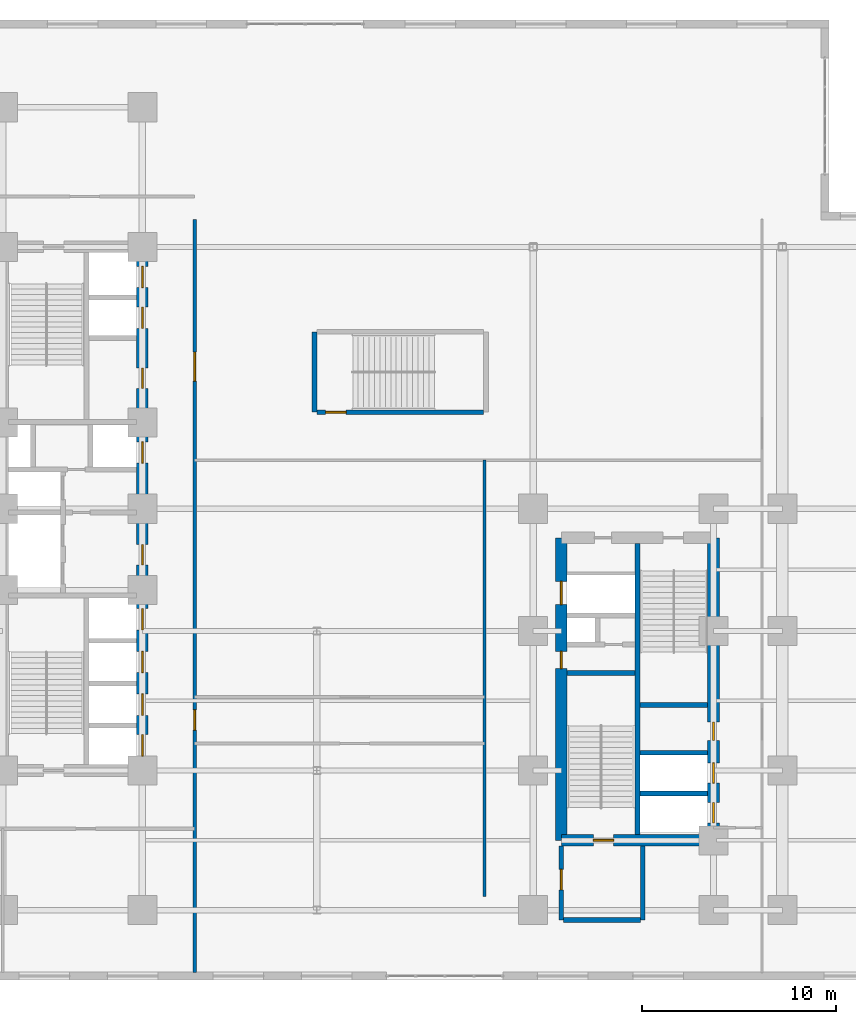
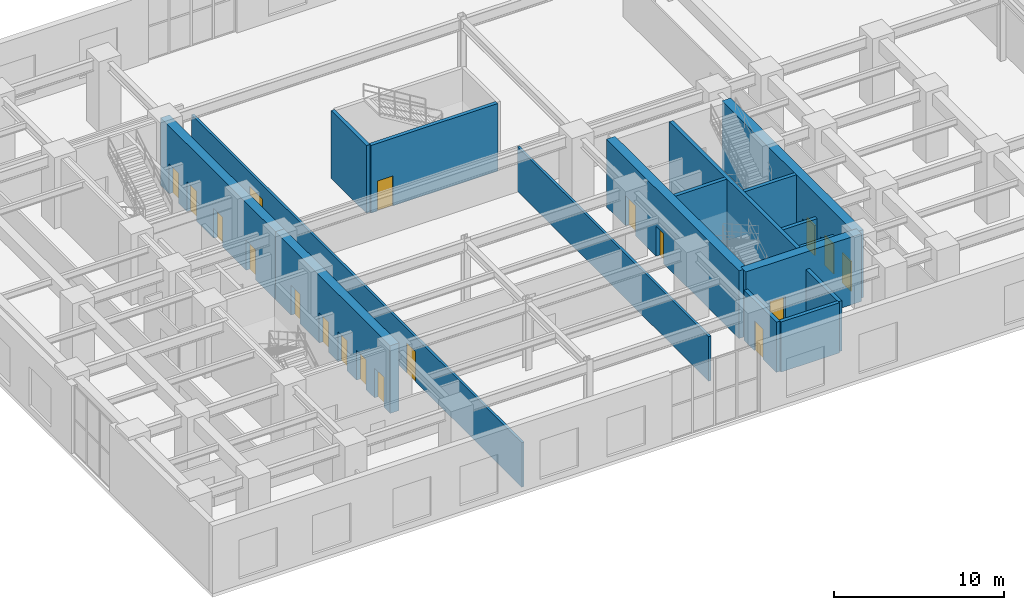
# One storey, part 18 of 23: 19 doors, 17 walls, 19 openings.
"""IFC4 building model written with IfcOpenShell, lengths in metres."""

import ifcopenshell
import ifcopenshell.guid

model = None  # the IFC model being written
_history = None  # IfcOwnerHistory: only IFC2X3 demands one
_inside = {}  # id of a spatial element -> (the spatial element, [elements in it])
_under = {}  # id of a project, library or spatial element -> (it, [spatial elements below it])
_declared = {}  # id of a project -> (the project, [libraries it declares])
_typed = {}  # id of a type object -> (the type object, [elements of that type])
_made_of = {}  # id of a material, layer set ... -> (it, [elements and type objects made of it])


def new_model(schema):
    """Start an empty IFC model of exactly this schema.

    Asked for "IFC4X3", IfcOpenShell would pick the latest addendum, in which some entities
    have other attributes; the version numbers below select the first issue.
    IFC2X3 requires an IfcOwnerHistory on every rooted entity: one is made here for all.
    """
    global model, _history
    if schema == "IFC4X3":
        model = ifcopenshell.file(schema_version=(4, 3, 0, 0))
    else:
        model = ifcopenshell.file(schema=schema)
    _inside.clear()
    _under.clear()
    _declared.clear()
    _typed.clear()
    _made_of.clear()
    _history = None
    if model.schema == "IFC2X3":
        org = make("IfcOrganization", Name="unknown")
        user = make(
            "IfcPersonAndOrganization",
            ThePerson=make("IfcPerson", FamilyName="unknown"),
            TheOrganization=org,
        )
        app = make(
            "IfcApplication",
            ApplicationDeveloper=org,
            Version="unknown",
            ApplicationFullName="unknown",
            ApplicationIdentifier="unknown",
        )
        _history = make(
            "IfcOwnerHistory",
            OwningUser=user,
            OwningApplication=app,
            ChangeAction="ADDED",
            CreationDate=0,
        )
    return model


def make(cls, **values):
    """One entity of the class cls with the attributes given. An attribute that is None is left unset."""
    return model.create_entity(
        cls, **{name: value for name, value in values.items() if value is not None}
    )


def entity(cls, *values):
    """Any entity or typed value of the class cls, its attributes in the order of the schema. None: left unset."""
    e = model.create_entity(cls)
    for i, value in enumerate(values):
        if value is not None:
            e[i] = value
    return e


def rooted(cls, **values):
    """An entity with a GlobalId (a new one), such as an element, a storey or a relation."""
    return make(cls, GlobalId=ifcopenshell.guid.new(), OwnerHistory=_history, **values)


def si_unit(unit_type, name, prefix=None):
    """IfcSIUnit, for example si_unit("LENGTHUNIT", "METRE", prefix="MILLI")."""
    return make("IfcSIUnit", UnitType=unit_type, Prefix=prefix, Name=name)


def converted_unit(unit_type, name, factor, base, dimensions=None, offset=None):
    """IfcConversionBasedUnit, such as the inch: factor (a typed value) times the base unit."""
    return make(
        "IfcConversionBasedUnit"
        if offset is None
        else "IfcConversionBasedUnitWithOffset",
        ConversionOffset=offset,
        Dimensions=None
        if dimensions is None
        else entity("IfcDimensionalExponents", *dimensions),
        UnitType=unit_type,
        Name=name,
        ConversionFactor=make(
            "IfcMeasureWithUnit", ValueComponent=factor, UnitComponent=base
        ),
    )


def assignment(units):
    """IfcUnitAssignment: the units of a project."""
    return None if units is None else make("IfcUnitAssignment", Units=units)


def point(xyz):
    """IfcCartesianPoint."""
    return None if xyz is None else make("IfcCartesianPoint", Coordinates=xyz)


def direction(xyz):
    """IfcDirection."""
    return None if xyz is None else make("IfcDirection", DirectionRatios=xyz)


def frame(location, z_axis=None, x_axis=None):
    """IfcAxis2Placement3D, a coordinate frame: its origin and axes. An axis left out is left unset."""
    return make(
        "IfcAxis2Placement3D",
        Location=point(location),
        Axis=direction(z_axis),
        RefDirection=direction(x_axis),
    )


def frame_2d(location, x_axis=None):
    """IfcAxis2Placement2D, a coordinate frame in the plane: its origin and x axis."""
    return make(
        "IfcAxis2Placement2D", Location=point(location), RefDirection=direction(x_axis)
    )


def origin_with_axes():
    """The frame at (0, 0, 0) with the z axis (0, 0, 1) and the x axis (1, 0, 0) written out."""
    return frame((0.0, 0.0, 0.0), z_axis=(0.0, 0.0, 1.0), x_axis=(1.0, 0.0, 0.0))


def origin_2d_with_axis():
    """The frame at (0, 0) in the plane with the x axis (1, 0) written out."""
    return frame_2d((0.0, 0.0), x_axis=(1.0, 0.0))


def place(relative_to, where):
    """IfcLocalPlacement: puts the frame where relative to a parent placement (None: the world)."""
    return make(
        "IfcLocalPlacement", PlacementRelTo=relative_to, RelativePlacement=where
    )


def context(
    kind, dimensions, precision=None, world=None, true_north=None, identifier=None
):
    """IfcGeometricRepresentationContext, for example the 3D "Model" context."""
    return make(
        "IfcGeometricRepresentationContext",
        ContextIdentifier=identifier,
        ContextType=kind,
        CoordinateSpaceDimension=dimensions,
        Precision=precision,
        WorldCoordinateSystem=world,
        TrueNorth=true_north,
    )


def subcontext(parent, identifier, kind, view, scale=None):
    """IfcGeometricRepresentationSubContext, for example "Body" below "Model"."""
    return make(
        "IfcGeometricRepresentationSubContext",
        ContextIdentifier=identifier,
        ContextType=kind,
        ParentContext=parent,
        TargetScale=scale,
        TargetView=view,
    )


def project(units=None, contexts=None):
    """IfcProject with its units and contexts."""
    return rooted(
        "IfcProject",
        Name="project",
        RepresentationContexts=contexts,
        UnitsInContext=assignment(units),
    )


def spatial(cls, under=None, at=None, **own):
    """A site, building, storey or space (cls), placed at a placement, below another one or the project."""
    s = rooted(cls, ObjectPlacement=at, **own)
    if under is not None:
        _under.setdefault(under.id(), (under, []))[1].append(s)
    return s


def polyline(points):
    """IfcPolyline through the points."""
    return make("IfcPolyline", Points=[point(p) for p in points])


def profile(cls, at=None, kind="AREA", **sizes):
    """A parametric profile (cls). Its sizes go by their IFC names, for example OverallWidth=200.0."""
    return make(cls, ProfileType=kind, Position=at, **sizes)


def rectangle(**sizes):
    """IfcRectangleProfileDef."""
    return profile("IfcRectangleProfileDef", **sizes)


def outline(outer, holes=None, kind="AREA"):
    """IfcArbitraryClosedProfileDef: a profile drawn as a closed curve; with holes, ...WithVoids."""
    if holes is None:
        return make("IfcArbitraryClosedProfileDef", ProfileType=kind, OuterCurve=outer)
    return make(
        "IfcArbitraryProfileDefWithVoids",
        ProfileType=kind,
        OuterCurve=outer,
        InnerCurves=holes,
    )


def extrude(swept, where, along, depth):
    """IfcExtrudedAreaSolid: the profile swept, set in the frame where, extruded along a direction by depth."""
    return make(
        "IfcExtrudedAreaSolid",
        SweptArea=swept,
        Position=where,
        ExtrudedDirection=direction(along),
        Depth=depth,
    )


def shape(context_of_items, identifier, shape_type, items):
    """IfcShapeRepresentation: the items that make up one representation, for example the "Body"."""
    return make(
        "IfcShapeRepresentation",
        ContextOfItems=context_of_items,
        RepresentationIdentifier=identifier,
        RepresentationType=shape_type,
        Items=items,
    )


def material(Name=None, Category=None):
    """IfcMaterial."""
    return make("IfcMaterial", Name=Name, Category=Category)


def layer(
    of_material, thickness, ventilated=None, Name=None, Category=None, Priority=None
):
    """IfcMaterialLayer: one layer of a wall or slab, of a material (None: an air gap)."""
    return make(
        "IfcMaterialLayer",
        Material=of_material,
        LayerThickness=thickness,
        IsVentilated=ventilated,
        Name=Name,
        Category=Category,
        Priority=Priority,
    )


def layer_set(layers, Name=None):
    """IfcMaterialLayerSet."""
    return make("IfcMaterialLayerSet", MaterialLayers=layers, LayerSetName=Name)


def made_of(thing, what):
    """Note that an element or type object is made of a material, layer set ...; save() writes the relation."""
    if what is not None:
        _made_of.setdefault(what.id(), (what, []))[1].append(thing)
    return thing


def type_object(cls, material=None, **own):
    """A type object (cls), such as IfcWallType, which elements share."""
    return made_of(rooted(cls, **own), material)


def element(
    cls,
    number,
    at=None,
    inside=None,
    cuts=None,
    type_object=None,
    material=None,
    context=None,
    identifier="Body",
    shape_type=None,
    held_by="IfcProductDefinitionShape",
    body=None,
    shapes=None,
    **own,
):
    """One element of the class cls, such as IfcWall. Its Tag is "e" and its number.

    at: its placement. inside: the storey or other place that contains it. cuts: it is an
    opening in that element (IfcRelVoidsElement). A single representation is given by context,
    identifier, shape_type and body (its items); several are given by shapes. held_by: the class
    of the entity that holds the representations. save() writes the other relations.
    """
    e = rooted(cls, Tag="e%d" % number, ObjectPlacement=at, **own)
    if body is not None:
        shapes = [shape(context, identifier, shape_type, body)]
    if shapes is not None:
        e.Representation = make(held_by, Representations=shapes)
    if inside is not None:
        _inside.setdefault(inside.id(), (inside, []))[1].append(e)
    if cuts is not None:
        rooted(
            "IfcRelVoidsElement", RelatingBuildingElement=cuts, RelatedOpeningElement=e
        )
    if type_object is not None:
        _typed.setdefault(type_object.id(), (type_object, []))[1].append(e)
    return made_of(e, material)


def fill(opening, filler):
    """IfcRelFillsElement: the door or window that sits in an opening."""
    return rooted(
        "IfcRelFillsElement",
        RelatingOpeningElement=opening,
        RelatedBuildingElement=filler,
    )


def aggregate(whole, parts):
    """IfcRelAggregates: a whole, such as a stair, and the parts it consists of."""
    return rooted("IfcRelAggregates", RelatingObject=whole, RelatedObjects=parts)


def save(model, path):
    """Write the relations noted so far, then the file.

    IfcRelAggregates (storeys below a building ...), IfcRelContainedInSpatialStructure (elements
    in a storey), IfcRelDefinesByType, IfcRelAssociatesMaterial and IfcRelDeclares: one each for
    every whole, place, type object, material and project.
    """
    for whole, parts in _under.values():
        aggregate(whole, parts)
    for where, things in _inside.values():
        rooted(
            "IfcRelContainedInSpatialStructure",
            RelatedElements=things,
            RelatingStructure=where,
        )
    for kind, things in _typed.values():
        rooted("IfcRelDefinesByType", RelatedObjects=things, RelatingType=kind)
    for what, things in _made_of.values():
        rooted("IfcRelAssociatesMaterial", RelatedObjects=things, RelatingMaterial=what)
    for by, libraries in _declared.values():
        rooted("IfcRelDeclares", RelatingContext=by, RelatedDefinitions=libraries)
    model.write(path)


model = new_model("IFC4")

# Units and contexts
model_context = context("Model", 3, precision=1e-05, world=origin_with_axes(), true_north=direction((0.0, 1.0)))
body_context = subcontext(model_context, "Body", "Model", "MODEL_VIEW")
ifc_project = project(units=[si_unit("LENGTHUNIT", "METRE"), si_unit("AREAUNIT", "SQUARE_METRE"), si_unit("VOLUMEUNIT", "CUBIC_METRE"), converted_unit("PLANEANGLEUNIT", "DEGREE", entity("IfcPlaneAngleMeasure", 0.017453292519943295), si_unit("PLANEANGLEUNIT", "RADIAN"), dimensions=[0, 0, 0, 0, 0, 0, 0]), si_unit("MASSUNIT", "GRAM", prefix="KILO"), si_unit("THERMODYNAMICTEMPERATUREUNIT", "KELVIN")], contexts=[model_context])

# Site, building, storey
site_placement = place(None, origin_with_axes())
site = spatial("IfcSite", under=ifc_project, at=site_placement, CompositionType="ELEMENT")
building_placement = place(site_placement, origin_with_axes())
building = spatial("IfcBuilding", under=site, at=building_placement, Name="Varnlund Millrace Tower", CompositionType="ELEMENT")
storey_placement = place(building_placement, frame((0.0, 0.0, 5.7), z_axis=(0.0, 0.0, 1.0), x_axis=(1.0, 0.0, 0.0)))
storey = spatial("IfcBuildingStorey", under=building, at=storey_placement, Name="L01", CompositionType="ELEMENT", Elevation=5.7)

# Wall, openings, doors
ifc_material_1 = material(Name="Concrete C80/95", Category="concrete")
ifc_layer_1 = layer(ifc_material_1, 0.6, Name="Concrete C80/95")
ifc_layer_set_1 = layer_set([ifc_layer_1], Name="Concrete C80/95")
wall_type_1 = type_object("IfcWallType", Name="Type-CoreWall-Shear-600-C80", PredefinedType="SHEAR", material=ifc_layer_set_1)
wall_1_placement = place(storey_placement, frame((18.6, 10.8, 0.0), z_axis=(0.0, 0.0, 1.0), x_axis=(0.0, 1.0, 0.0)))
wall_1 = element("IfcWall", 1, at=wall_1_placement, inside=storey, type_object=wall_type_1, Name="Type-CoreWall-Shear-600-C80", PredefinedType="SHEAR", context=body_context, shape_type="SweptSolid", body=[
    extrude(outline(polyline([(0.0, -0.3), (13.5, -0.3), (13.5, 0.3), (0.0, 0.3), (0.0, -0.3)])), origin_with_axes(), (0.0, 0.0, 1.0), 4.86),
])
opening_1_placement = place(wall_1_placement, frame((1.3, 0.0, 0.0), z_axis=(0.0, 0.0, 1.0), x_axis=(1.0, 0.0, 0.0)))
opening_1 = element("IfcOpeningElement", 2, at=opening_1_placement, cuts=wall_1, Name="Opening L01:LD-ELV-L1", PredefinedType="OPENING", context=body_context, shape_type="SweptSolid", body=[
    extrude(rectangle(XDim=1.1, YDim=0.62, at=origin_2d_with_axis()), origin_with_axes(), (0.0, 0.0, 1.0), 2.15),
])
opening_2_placement = place(wall_1_placement, frame((3.4, 0.0, 0.0), z_axis=(0.0, 0.0, 1.0), x_axis=(1.0, 0.0, 0.0)))
opening_2 = element("IfcOpeningElement", 3, at=opening_2_placement, cuts=wall_1, Name="Opening L01:LD-ELV-L2", PredefinedType="OPENING", context=body_context, shape_type="SweptSolid", body=[
    extrude(rectangle(XDim=1.1, YDim=0.62, at=origin_2d_with_axis()), origin_with_axes(), (0.0, 0.0, 1.0), 2.15),
])
opening_3_placement = place(wall_1_placement, frame((5.6, 0.0, 0.0), z_axis=(0.0, 0.0, 1.0), x_axis=(1.0, 0.0, 0.0)))
opening_3 = element("IfcOpeningElement", 4, at=opening_3_placement, cuts=wall_1, Name="Opening L01:LD-ELV-S1A", PredefinedType="OPENING", context=body_context, shape_type="SweptSolid", body=[
    extrude(rectangle(XDim=1.1, YDim=0.62, at=origin_2d_with_axis()), origin_with_axes(), (0.0, 0.0, 1.0), 2.15),
])
opening_4_placement = place(wall_1_placement, frame((7.8, 0.0, 0.0), z_axis=(0.0, 0.0, 1.0), x_axis=(1.0, 0.0, 0.0)))
opening_4 = element("IfcOpeningElement", 5, at=opening_4_placement, cuts=wall_1, Name="Opening L01:LD-ELV-S1B", PredefinedType="OPENING", context=body_context, shape_type="SweptSolid", body=[
    extrude(rectangle(XDim=1.1, YDim=0.62, at=origin_2d_with_axis()), origin_with_axes(), (0.0, 0.0, 1.0), 2.15),
])
opening_5_placement = place(wall_1_placement, frame((11.125, 0.0, 0.0), z_axis=(0.0, 0.0, 1.0), x_axis=(1.0, 0.0, 0.0)))
opening_5 = element("IfcOpeningElement", 6, at=opening_5_placement, cuts=wall_1, Name="Opening L01:DR-FFLOB-A", PredefinedType="OPENING", context=body_context, shape_type="SweptSolid", body=[
    extrude(rectangle(XDim=1.05, YDim=0.62, at=origin_2d_with_axis()), origin_with_axes(), (0.0, 0.0, 1.0), 2.15),
])
ifc_material_2 = material(Name="Smoke-barrier hollow steel fire door", Category="steel")
door_type_1 = type_object("IfcDoorType", Name="Type-FireDoor-Lobby-1050X2150", OperationType="NOTDEFINED", PredefinedType="DOOR", material=ifc_material_2)
door_1_placement = place(wall_1_placement, frame((11.125, 0.0, 0.0), z_axis=(0.0, 0.0, 1.0), x_axis=(1.0, 0.0, 0.0)))
door_1 = element("IfcDoor", 7, at=door_1_placement, inside=storey, type_object=door_type_1, Name="Type-FireDoor-Lobby-1050X2150", OperationType="SINGLE_SWING_LEFT", OverallHeight=2.15, OverallWidth=1.05, PredefinedType="DOOR", context=body_context, shape_type="SweptSolid", body=[
    extrude(rectangle(XDim=1.05, YDim=0.09, at=origin_2d_with_axis()), origin_with_axes(), (0.0, 0.0, 1.0), 2.15),
])
fill(opening_5, door_1)
ifc_material_3 = material(Name="Stainless and architectural bronze sliding landing door")
door_type_2 = type_object("IfcDoorType", Name="Type-LiftLandingDoor-1100X2150", OperationType="NOTDEFINED", PredefinedType="DOOR", material=ifc_material_3)
door_2_placement = place(wall_1_placement, frame((1.3, 0.0, 0.0), z_axis=(0.0, 0.0, 1.0), x_axis=(1.0, 0.0, 0.0)))
door_2 = element("IfcDoor", 8, at=door_2_placement, inside=storey, type_object=door_type_2, Name="Type-LiftLandingDoor-1100X2150", OperationType="SLIDING_TO_LEFT", OverallHeight=2.15, OverallWidth=1.1, PredefinedType="DOOR", context=body_context, shape_type="SweptSolid", body=[
    extrude(rectangle(XDim=1.1, YDim=0.09, at=origin_2d_with_axis()), origin_with_axes(), (0.0, 0.0, 1.0), 2.15),
])
fill(opening_1, door_2)
door_3_placement = place(wall_1_placement, frame((3.4, 0.0, 0.0), z_axis=(0.0, 0.0, 1.0), x_axis=(1.0, 0.0, 0.0)))
door_3 = element("IfcDoor", 9, at=door_3_placement, inside=storey, type_object=door_type_2, Name="Type-LiftLandingDoor-1100X2150", OperationType="SLIDING_TO_RIGHT", OverallHeight=2.15, OverallWidth=1.1, PredefinedType="DOOR", context=body_context, shape_type="SweptSolid", body=[
    extrude(rectangle(XDim=1.1, YDim=0.09, at=origin_2d_with_axis()), origin_with_axes(), (0.0, 0.0, 1.0), 2.15),
])
fill(opening_2, door_3)
door_4_placement = place(wall_1_placement, frame((5.6, 0.0, 0.0), z_axis=(0.0, 0.0, 1.0), x_axis=(1.0, 0.0, 0.0)))
door_4 = element("IfcDoor", 10, at=door_4_placement, inside=storey, type_object=door_type_2, Name="Type-LiftLandingDoor-1100X2150", OperationType="DOUBLE_DOOR_SLIDING", OverallHeight=2.15, OverallWidth=1.1, PredefinedType="DOOR", context=body_context, shape_type="SweptSolid", body=[
    extrude(rectangle(XDim=1.1, YDim=0.09, at=origin_2d_with_axis()), origin_with_axes(), (0.0, 0.0, 1.0), 2.15),
])
fill(opening_3, door_4)
door_5_placement = place(wall_1_placement, frame((7.8, 0.0, 0.0), z_axis=(0.0, 0.0, 1.0), x_axis=(1.0, 0.0, 0.0)))
door_5 = element("IfcDoor", 11, at=door_5_placement, inside=storey, type_object=door_type_2, Name="Type-LiftLandingDoor-1100X2150", OperationType="DOUBLE_DOOR_SLIDING", OverallHeight=2.15, OverallWidth=1.1, PredefinedType="DOOR", context=body_context, shape_type="SweptSolid", body=[
    extrude(rectangle(XDim=1.1, YDim=0.09, at=origin_2d_with_axis()), origin_with_axes(), (0.0, 0.0, 1.0), 2.15),
])
fill(opening_4, door_5)

wall_2_placement = place(storey_placement, frame((18.6, 24.3, 0.0), z_axis=(0.0, 0.0, 1.0), x_axis=(0.0, 1.0, 0.0)))
wall_2 = element("IfcWall", 12, at=wall_2_placement, inside=storey, type_object=wall_type_1, Name="Type-CoreWall-Shear-600-C80", PredefinedType="SHEAR", context=body_context, shape_type="SweptSolid", body=[
    extrude(outline(polyline([(0.0, -0.3), (13.5, -0.3), (13.5, 0.3), (0.0, 0.3), (0.0, -0.3)])), origin_with_axes(), (0.0, 0.0, 1.0), 4.86),
])
opening_6_placement = place(wall_2_placement, frame((9.85, 0.0, 0.0), z_axis=(0.0, 0.0, 1.0), x_axis=(1.0, 0.0, 0.0)))
opening_6 = element("IfcOpeningElement", 13, at=opening_6_placement, cuts=wall_2, Name="Opening L01:LD-ELV-S2A", PredefinedType="OPENING", context=body_context, shape_type="SweptSolid", body=[
    extrude(rectangle(XDim=1.1, YDim=0.62, at=origin_2d_with_axis()), origin_with_axes(), (0.0, 0.0, 1.0), 2.15),
])
opening_7_placement = place(wall_2_placement, frame((11.95, 0.0, 0.0), z_axis=(0.0, 0.0, 1.0), x_axis=(1.0, 0.0, 0.0)))
opening_7 = element("IfcOpeningElement", 14, at=opening_7_placement, cuts=wall_2, Name="Opening L01:LD-ELV-S2B", PredefinedType="OPENING", context=body_context, shape_type="SweptSolid", body=[
    extrude(rectangle(XDim=1.1, YDim=0.62, at=origin_2d_with_axis()), origin_with_axes(), (0.0, 0.0, 1.0), 2.15),
])
opening_8_placement = place(wall_2_placement, frame((2.9, 0.0, 0.0), z_axis=(0.0, 0.0, 1.0), x_axis=(1.0, 0.0, 0.0)))
opening_8 = element("IfcOpeningElement", 15, at=opening_8_placement, cuts=wall_2, Name="Opening L01:LD-ELV-OB1", PredefinedType="OPENING", context=body_context, shape_type="SweptSolid", body=[
    extrude(rectangle(XDim=1.1, YDim=0.62, at=origin_2d_with_axis()), origin_with_axes(), (0.0, 0.0, 1.0), 2.15),
])
opening_9_placement = place(wall_2_placement, frame((6.725, 0.0, 0.0), z_axis=(0.0, 0.0, 1.0), x_axis=(1.0, 0.0, 0.0)))
opening_9 = element("IfcOpeningElement", 16, at=opening_9_placement, cuts=wall_2, Name="Opening L01:DR-CA-WC1", PredefinedType="OPENING", context=body_context, shape_type="SweptSolid", body=[
    extrude(rectangle(XDim=1.05, YDim=0.62, at=origin_2d_with_axis()), origin_with_axes(), (0.0, 0.0, 1.0), 2.15),
])
door_6_placement = place(wall_2_placement, frame((6.725, 0.0, 0.0), z_axis=(0.0, 0.0, 1.0), x_axis=(1.0, 0.0, 0.0)))
door_6 = element("IfcDoor", 17, at=door_6_placement, inside=storey, type_object=door_type_1, Name="Type-FireDoor-Lobby-1050X2150", OperationType="SINGLE_SWING_LEFT", OverallHeight=2.15, OverallWidth=1.05, PredefinedType="DOOR", context=body_context, shape_type="SweptSolid", body=[
    extrude(rectangle(XDim=1.05, YDim=0.09, at=origin_2d_with_axis()), origin_with_axes(), (0.0, 0.0, 1.0), 2.15),
])
fill(opening_9, door_6)
door_7_placement = place(wall_2_placement, frame((9.85, 0.0, 0.0), z_axis=(0.0, 0.0, 1.0), x_axis=(1.0, 0.0, 0.0)))
door_7 = element("IfcDoor", 18, at=door_7_placement, inside=storey, type_object=door_type_2, Name="Type-LiftLandingDoor-1100X2150", OperationType="DOUBLE_DOOR_SLIDING", OverallHeight=2.15, OverallWidth=1.1, PredefinedType="DOOR", context=body_context, shape_type="SweptSolid", body=[
    extrude(rectangle(XDim=1.1, YDim=0.09, at=origin_2d_with_axis()), origin_with_axes(), (0.0, 0.0, 1.0), 2.15),
])
fill(opening_6, door_7)
door_8_placement = place(wall_2_placement, frame((11.95, 0.0, 0.0), z_axis=(0.0, 0.0, 1.0), x_axis=(1.0, 0.0, 0.0)))
door_8 = element("IfcDoor", 19, at=door_8_placement, inside=storey, type_object=door_type_2, Name="Type-LiftLandingDoor-1100X2150", OperationType="DOUBLE_DOOR_SLIDING", OverallHeight=2.15, OverallWidth=1.1, PredefinedType="DOOR", context=body_context, shape_type="SweptSolid", body=[
    extrude(rectangle(XDim=1.1, YDim=0.09, at=origin_2d_with_axis()), origin_with_axes(), (0.0, 0.0, 1.0), 2.15),
])
fill(opening_7, door_8)
door_9_placement = place(wall_2_placement, frame((2.9, 0.0, 0.0), z_axis=(0.0, 0.0, 1.0), x_axis=(1.0, 0.0, 0.0)))
door_9 = element("IfcDoor", 20, at=door_9_placement, inside=storey, type_object=door_type_2, Name="Type-LiftLandingDoor-1100X2150", OperationType="DOUBLE_DOOR_SLIDING", OverallHeight=2.15, OverallWidth=1.1, PredefinedType="DOOR", context=body_context, shape_type="SweptSolid", body=[
    extrude(rectangle(XDim=1.1, YDim=0.09, at=origin_2d_with_axis()), origin_with_axes(), (0.0, 0.0, 1.0), 2.15),
])
fill(opening_8, door_9)

wall_3_placement = place(storey_placement, frame((40.2, 7.2, 0.0), z_axis=(0.0, 0.0, 1.0), x_axis=(0.0, 1.0, 0.0)))
wall_3 = element("IfcWall", 21, at=wall_3_placement, inside=storey, type_object=wall_type_1, Name="Type-CoreWall-Shear-600-C80", PredefinedType="SHEAR", context=body_context, shape_type="SweptSolid", body=[
    extrude(outline(polyline([(0.0, -0.3), (15.6, -0.3), (15.6, 0.3), (0.0, 0.3), (0.0, -0.3)])), origin_with_axes(), (0.0, 0.0, 1.0), 4.86),
])
opening_10_placement = place(wall_3_placement, frame((12.75, 0.0, 0.0), z_axis=(0.0, 0.0, 1.0), x_axis=(1.0, 0.0, 0.0)))
opening_10 = element("IfcOpeningElement", 22, at=opening_10_placement, cuts=wall_3, Name="Opening L01:LD-SRV2", PredefinedType="OPENING", context=body_context, shape_type="SweptSolid", body=[
    extrude(rectangle(XDim=1.2, YDim=0.62, at=origin_2d_with_axis()), origin_with_axes(), (0.0, 0.0, 1.0), 2.15),
])
opening_11_placement = place(wall_3_placement, frame((9.3, 0.0, 0.0), z_axis=(0.0, 0.0, 1.0), x_axis=(1.0, 0.0, 0.0)))
opening_11 = element("IfcOpeningElement", 23, at=opening_11_placement, cuts=wall_3, Name="Opening L01:DR-CB-JAN", PredefinedType="OPENING", context=body_context, shape_type="SweptSolid", body=[
    extrude(rectangle(XDim=0.9, YDim=0.62, at=origin_2d_with_axis()), origin_with_axes(), (0.0, 0.0, 1.0), 2.15),
])
ifc_material_4 = material(Name="Fire-rated hollow steel service closet door", Category="steel")
door_type_3 = type_object("IfcDoorType", Name="Type-FireDoor-Closet-900X2150", OperationType="NOTDEFINED", PredefinedType="DOOR", material=ifc_material_4)
door_10_placement = place(wall_3_placement, frame((9.3, 0.0, 0.0), z_axis=(0.0, 0.0, 1.0), x_axis=(1.0, 0.0, 0.0)))
door_10 = element("IfcDoor", 24, at=door_10_placement, inside=storey, type_object=door_type_3, Name="Type-FireDoor-Closet-900X2150", OperationType="SINGLE_SWING_RIGHT", OverallHeight=2.15, OverallWidth=0.9, PredefinedType="DOOR", context=body_context, shape_type="SweptSolid", body=[
    extrude(rectangle(XDim=0.9, YDim=0.09, at=origin_2d_with_axis()), origin_with_axes(), (0.0, 0.0, 1.0), 2.15),
])
fill(opening_11, door_10)
ifc_material_5 = material(Name="Heavy-duty freight sliding landing door")
door_type_4 = type_object("IfcDoorType", Name="Type-LiftLandingDoor-Service-1200X2150", OperationType="NOTDEFINED", PredefinedType="DOOR", material=ifc_material_5)
door_11_placement = place(wall_3_placement, frame((12.75, 0.0, 0.0), z_axis=(0.0, 0.0, 1.0), x_axis=(1.0, 0.0, 0.0)))
door_11 = element("IfcDoor", 25, at=door_11_placement, inside=storey, type_object=door_type_4, Name="Type-LiftLandingDoor-Service-1200X2150", OperationType="DOUBLE_DOOR_SLIDING", OverallHeight=2.15, OverallWidth=1.2, PredefinedType="DOOR", context=body_context, shape_type="SweptSolid", body=[
    extrude(rectangle(XDim=1.2, YDim=0.09, at=origin_2d_with_axis()), origin_with_axes(), (0.0, 0.0, 1.0), 2.15),
])
fill(opening_10, door_11)

# Wall, opening, door
wall_4_placement = place(storey_placement, frame((40.2, 7.2, 0.0), z_axis=(0.0, 0.0, 1.0), x_axis=(1.0, 0.0, 0.0)))
wall_4 = element("IfcWall", 26, at=wall_4_placement, inside=storey, type_object=wall_type_1, Name="Type-CoreWall-Shear-600-C80", PredefinedType="SHEAR", context=body_context, shape_type="SweptSolid", body=[
    extrude(outline(polyline([(0.0, -0.3), (7.85, -0.3), (7.85, 0.3), (0.0, 0.3), (0.0, -0.3)])), origin_with_axes(), (0.0, 0.0, 1.0), 4.86),
])
opening_12_placement = place(wall_4_placement, frame((2.175, 0.0, 0.0), z_axis=(0.0, 0.0, 1.0), x_axis=(1.0, 0.0, 0.0)))
opening_12 = element("IfcOpeningElement", 27, at=opening_12_placement, cuts=wall_4, Name="Opening L01:DR-STB1", PredefinedType="OPENING", context=body_context, shape_type="SweptSolid", body=[
    extrude(rectangle(XDim=1.05, YDim=0.62, at=origin_2d_with_axis()), origin_with_axes(), (0.0, 0.0, 1.0), 2.15),
])
ifc_material_6 = material(Name="Fire-rated hollow steel door", Category="steel")
door_type_5 = type_object("IfcDoorType", Name="Type-FireDoor-Stair-1050X2150", OperationType="NOTDEFINED", PredefinedType="DOOR", material=ifc_material_6)
door_12_placement = place(wall_4_placement, frame((2.175, 0.0, 0.0), z_axis=(0.0, 0.0, 1.0), x_axis=(1.0, 0.0, 0.0)))
door_12 = element("IfcDoor", 28, at=door_12_placement, inside=storey, type_object=door_type_5, Name="Type-FireDoor-Stair-1050X2150", OperationType="SINGLE_SWING_LEFT", OverallHeight=2.15, OverallWidth=1.05, PredefinedType="DOOR", context=body_context, shape_type="SweptSolid", body=[
    extrude(rectangle(XDim=1.05, YDim=0.09, at=origin_2d_with_axis()), origin_with_axes(), (0.0, 0.0, 1.0), 2.15),
])
fill(opening_12, door_12)

# Wall, openings, doors
wall_5_placement = place(storey_placement, frame((48.05, 7.2, 0.0), z_axis=(0.0, 0.0, 1.0), x_axis=(0.0, 1.0, 0.0)))
wall_5 = element("IfcWall", 29, at=wall_5_placement, inside=storey, type_object=wall_type_1, Name="Type-CoreWall-Shear-600-C80", PredefinedType="SHEAR", context=body_context, shape_type="SweptSolid", body=[
    extrude(outline(polyline([(0.0, -0.3), (15.6, -0.3), (15.6, 0.3), (0.0, 0.3), (0.0, -0.3)])), origin_with_axes(), (0.0, 0.0, 1.0), 4.86),
])
opening_13_placement = place(wall_5_placement, frame((1.425, 0.0, 0.0), z_axis=(0.0, 0.0, 1.0), x_axis=(1.0, 0.0, 0.0)))
opening_13 = element("IfcOpeningElement", 30, at=opening_13_placement, cuts=wall_5, Name="Opening L01:LD-ELV-L3", PredefinedType="OPENING", context=body_context, shape_type="SweptSolid", body=[
    extrude(rectangle(XDim=1.05, YDim=0.62, at=origin_2d_with_axis()), origin_with_axes(), (0.0, 0.0, 1.0), 2.15),
])
opening_14_placement = place(wall_5_placement, frame((3.475, 0.0, 0.0), z_axis=(0.0, 0.0, 1.0), x_axis=(1.0, 0.0, 0.0)))
opening_14 = element("IfcOpeningElement", 31, at=opening_14_placement, cuts=wall_5, Name="Opening L01:LD-ELV-L4", PredefinedType="OPENING", context=body_context, shape_type="SweptSolid", body=[
    extrude(rectangle(XDim=1.05, YDim=0.62, at=origin_2d_with_axis()), origin_with_axes(), (0.0, 0.0, 1.0), 2.15),
])
opening_15_placement = place(wall_5_placement, frame((5.625, 0.0, 0.0), z_axis=(0.0, 0.0, 1.0), x_axis=(1.0, 0.0, 0.0)))
opening_15 = element("IfcOpeningElement", 32, at=opening_15_placement, cuts=wall_5, Name="Opening L01:DR-CB-WC", PredefinedType="OPENING", context=body_context, shape_type="SweptSolid", body=[
    extrude(rectangle(XDim=0.95, YDim=0.62, at=origin_2d_with_axis()), origin_with_axes(), (0.0, 0.0, 1.0), 2.15),
])
ifc_material_7 = material(Name="Fire-rated hollow steel core service door", Category="steel")
door_type_6 = type_object("IfcDoorType", Name="Type-FireDoor-Service-950X2150", OperationType="NOTDEFINED", PredefinedType="DOOR", material=ifc_material_7)
door_13_placement = place(wall_5_placement, frame((5.625, 0.0, 0.0), z_axis=(0.0, 0.0, 1.0), x_axis=(1.0, 0.0, 0.0)))
door_13 = element("IfcDoor", 33, at=door_13_placement, inside=storey, type_object=door_type_6, Name="Type-FireDoor-Service-950X2150", OperationType="SINGLE_SWING_LEFT", OverallHeight=2.15, OverallWidth=0.95, PredefinedType="DOOR", context=body_context, shape_type="SweptSolid", body=[
    extrude(rectangle(XDim=0.95, YDim=0.09, at=origin_2d_with_axis()), origin_with_axes(), (0.0, 0.0, 1.0), 2.15),
])
fill(opening_15, door_13)
ifc_material_8 = material(Name="Architectural bronze sliding landing door")
door_type_7 = type_object("IfcDoorType", Name="Type-LiftLandingDoor-Compact-1050X2150", OperationType="NOTDEFINED", PredefinedType="DOOR", material=ifc_material_8)
door_14_placement = place(wall_5_placement, frame((1.425, 0.0, 0.0), z_axis=(0.0, 0.0, 1.0), x_axis=(1.0, 0.0, 0.0)))
door_14 = element("IfcDoor", 34, at=door_14_placement, inside=storey, type_object=door_type_7, Name="Type-LiftLandingDoor-Compact-1050X2150", OperationType="SLIDING_TO_LEFT", OverallHeight=2.15, OverallWidth=1.05, PredefinedType="DOOR", context=body_context, shape_type="SweptSolid", body=[
    extrude(rectangle(XDim=1.05, YDim=0.09, at=origin_2d_with_axis()), origin_with_axes(), (0.0, 0.0, 1.0), 2.15),
])
fill(opening_13, door_14)
door_15_placement = place(wall_5_placement, frame((3.475, 0.0, 0.0), z_axis=(0.0, 0.0, 1.0), x_axis=(1.0, 0.0, 0.0)))
door_15 = element("IfcDoor", 35, at=door_15_placement, inside=storey, type_object=door_type_7, Name="Type-LiftLandingDoor-Compact-1050X2150", OperationType="SLIDING_TO_RIGHT", OverallHeight=2.15, OverallWidth=1.05, PredefinedType="DOOR", context=body_context, shape_type="SweptSolid", body=[
    extrude(rectangle(XDim=1.05, YDim=0.09, at=origin_2d_with_axis()), origin_with_axes(), (0.0, 0.0, 1.0), 2.15),
])
fill(opening_14, door_15)

ifc_material_9 = material(Name="Fire-rated gypsum board on cold-formed steel framing", Category="steel")
ifc_layer_2 = layer(ifc_material_9, 0.16, Name="Fire-rated gypsum board on cold-formed steel framing")
ifc_layer_set_2 = layer_set([ifc_layer_2], Name="Fire-rated gypsum board on cold-formed steel framing")
wall_type_2 = type_object("IfcWallType", Name="Type-Partition-Corridor-160", PredefinedType="PARTITIONING", material=ifc_layer_set_2)
wall_6_placement = place(storey_placement, frame((21.3, 0.38, 0.0), z_axis=(0.0, 0.0, 1.0), x_axis=(0.0, 1.0, 0.0)))
wall_6 = element("IfcWall", 36, at=wall_6_placement, inside=storey, type_object=wall_type_2, Name="Type-Partition-Corridor-160", PredefinedType="PARTITIONING", context=body_context, shape_type="SweptSolid", body=[
    extrude(outline(polyline([(0.0, -0.08), (38.84, -0.08), (38.84, 0.08), (0.0, 0.08), (0.0, -0.08)])), origin_with_axes(), (0.0, 0.0, 1.0), 3.2),
])
opening_16_placement = place(wall_6_placement, frame((13.025, 0.0, 0.0), z_axis=(0.0, 0.0, 1.0), x_axis=(1.0, 0.0, 0.0)))
opening_16 = element("IfcOpeningElement", 37, at=opening_16_placement, cuts=wall_6, Name="Opening L01:DR-POD-BC", PredefinedType="OPENING", context=body_context, shape_type="SweptSolid", body=[
    extrude(rectangle(XDim=1.05, YDim=0.18, at=origin_2d_with_axis()), origin_with_axes(), (0.0, 0.0, 1.0), 2.15),
])
opening_17_placement = place(wall_6_placement, frame((31.25, 0.0, 0.0), z_axis=(0.0, 0.0, 1.0), x_axis=(1.0, 0.0, 0.0)))
opening_17 = element("IfcOpeningElement", 38, at=opening_17_placement, cuts=wall_6, Name="Opening L01:DR-POD-E2", PredefinedType="OPENING", context=body_context, shape_type="SweptSolid", body=[
    extrude(rectangle(XDim=1.5, YDim=0.18, at=origin_2d_with_axis()), origin_with_axes(), (0.0, 0.0, 1.0), 2.2),
])
door_16_placement = place(wall_6_placement, frame((13.025, 0.0, 0.0), z_axis=(0.0, 0.0, 1.0), x_axis=(1.0, 0.0, 0.0)))
door_16 = element("IfcDoor", 39, at=door_16_placement, inside=storey, type_object=door_type_1, Name="Type-FireDoor-Lobby-1050X2150", OperationType="SINGLE_SWING_LEFT", OverallHeight=2.15, OverallWidth=1.05, PredefinedType="DOOR", context=body_context, shape_type="SweptSolid", body=[
    extrude(rectangle(XDim=1.05, YDim=0.09, at=origin_2d_with_axis()), origin_with_axes(), (0.0, 0.0, 1.0), 2.15),
])
fill(opening_16, door_16)
ifc_material_10 = material(Name="Architectural bronze and acoustic glass double door", Category="glass")
door_type_8 = type_object("IfcDoorType", Name="Type-IntDoor-SuitePair-1500X2200", OperationType="NOTDEFINED", PredefinedType="DOOR", material=ifc_material_10)
door_17_placement = place(wall_6_placement, frame((31.25, 0.0, 0.0), z_axis=(0.0, 0.0, 1.0), x_axis=(1.0, 0.0, 0.0)))
door_17 = element("IfcDoor", 40, at=door_17_placement, inside=storey, type_object=door_type_8, Name="Type-IntDoor-SuitePair-1500X2200", OperationType="DOUBLE_DOOR_SINGLE_SWING", OverallHeight=2.2, OverallWidth=1.5, PredefinedType="DOOR", context=body_context, shape_type="SweptSolid", body=[
    extrude(rectangle(XDim=1.5, YDim=0.09, at=origin_2d_with_axis()), origin_with_axes(), (0.0, 0.0, 1.0), 2.2),
])
fill(opening_17, door_17)

# Wall
wall_7_placement = place(storey_placement, frame((36.25, 4.3, 0.0), z_axis=(0.0, 0.0, 1.0), x_axis=(0.0, 1.0, 0.0)))
element("IfcWall", 41, at=wall_7_placement, inside=storey, type_object=wall_type_2, Name="Type-Partition-Corridor-160", PredefinedType="PARTITIONING", context=body_context, shape_type="SweptSolid", body=[
    extrude(outline(polyline([(0.0, -0.08), (22.5, -0.08), (22.5, 0.08), (0.0, 0.08), (0.0, -0.08)])), origin_with_axes(), (0.0, 0.0, 1.0), 3.2),
])

# Wall, opening, door
ifc_material_11 = material(Name="Concrete C60/75", Category="concrete")
ifc_layer_3 = layer(ifc_material_11, 0.25, Name="Concrete C60/75")
ifc_layer_set_3 = layer_set([ifc_layer_3], Name="Concrete C60/75")
wall_type_3 = type_object("IfcWallType", Name="Type-ShaftWall-Fire-250", PredefinedType="SOLIDWALL", material=ifc_layer_set_3)
wall_8_placement = place(storey_placement, frame((40.2, 3.1, 0.0), z_axis=(0.0, 0.0, 1.0), x_axis=(0.0, 1.0, 0.0)))
wall_8 = element("IfcWall", 42, at=wall_8_placement, inside=storey, type_object=wall_type_3, Name="Type-ShaftWall-Fire-250", PredefinedType="SOLIDWALL", context=body_context, shape_type="SweptSolid", body=[
    extrude(outline(polyline([(0.0, -0.125), (3.8, -0.125), (3.8, 0.125), (0.0, 0.125), (0.0, -0.125)])), origin_with_axes(), (0.0, 0.0, 1.0), 3.6),
])
opening_18_placement = place(wall_8_placement, frame((2.075, 0.0, 0.0), z_axis=(0.0, 0.0, 1.0), x_axis=(1.0, 0.0, 0.0)))
opening_18 = element("IfcOpeningElement", 43, at=opening_18_placement, cuts=wall_8, Name="Opening L01:DR-FFLOB-B", PredefinedType="OPENING", context=body_context, shape_type="SweptSolid", body=[
    extrude(rectangle(XDim=1.05, YDim=0.27, at=origin_2d_with_axis()), origin_with_axes(), (0.0, 0.0, 1.0), 2.15),
])
door_18_placement = place(wall_8_placement, frame((2.075, 0.0, 0.0), z_axis=(0.0, 0.0, 1.0), x_axis=(1.0, 0.0, 0.0)))
door_18 = element("IfcDoor", 44, at=door_18_placement, inside=storey, type_object=door_type_1, Name="Type-FireDoor-Lobby-1050X2150", OperationType="SINGLE_SWING_LEFT", OverallHeight=2.15, OverallWidth=1.05, PredefinedType="DOOR", context=body_context, shape_type="SweptSolid", body=[
    extrude(rectangle(XDim=1.05, YDim=0.09, at=origin_2d_with_axis()), origin_with_axes(), (0.0, 0.0, 1.0), 2.15),
])
fill(opening_18, door_18)

# Walls
wall_9_placement = place(storey_placement, frame((40.325, 3.1, 0.0), z_axis=(0.0, 0.0, 1.0), x_axis=(1.0, 0.0, 0.0)))
element("IfcWall", 45, at=wall_9_placement, inside=storey, type_object=wall_type_3, Name="Type-ShaftWall-Fire-250", PredefinedType="SOLIDWALL", context=body_context, shape_type="SweptSolid", body=[
    extrude(outline(polyline([(0.0, -0.125), (3.95, -0.125), (3.95, 0.125), (0.0, 0.125), (0.0, -0.125)])), origin_with_axes(), (0.0, 0.0, 1.0), 3.6),
])
wall_10_placement = place(storey_placement, frame((44.4, 3.1, 0.0), z_axis=(0.0, 0.0, 1.0), x_axis=(0.0, 1.0, 0.0)))
element("IfcWall", 46, at=wall_10_placement, inside=storey, type_object=wall_type_3, Name="Type-ShaftWall-Fire-250", PredefinedType="SOLIDWALL", context=body_context, shape_type="SweptSolid", body=[
    extrude(outline(polyline([(0.0, -0.125), (3.8, -0.125), (3.8, 0.125), (0.0, 0.125), (0.0, -0.125)])), origin_with_axes(), (0.0, 0.0, 1.0), 3.6),
])
for number, where, z_axis, x_axis, name in (
    (47, (44.25, 9.62, 0.0), (0.0, 0.0, 1.0), (1.0, 0.0, 0.0), "Type-ShaftWall-Fire-250"),
    (48, (44.25, 11.72, 0.0), (0.0, 0.0, 1.0), (1.0, 0.0, 0.0), "Type-ShaftWall-Fire-250"),
):
    element("IfcWall", number, at=place(storey_placement, frame(where, z_axis=z_axis, x_axis=x_axis)), inside=storey, type_object=wall_type_3, Name=name, PredefinedType="SOLIDWALL", context=body_context, shape_type="SweptSolid", body=[
        extrude(outline(polyline([(0.0, -0.125), (3.5, -0.125), (3.5, 0.125), (0.0, 0.125), (0.0, -0.125)])), origin_with_axes(), (0.0, 0.0, 1.0), 3.2),
    ])
wall_type_4 = type_object("IfcWallType", Name="Type-StairWall-Shear-250", PredefinedType="SHEAR", material=ifc_layer_set_3)
wall_11_placement = place(storey_placement, frame((44.125, 7.5, 0.0), z_axis=(0.0, 0.0, 1.0), x_axis=(0.0, 1.0, 0.0)))
element("IfcWall", 49, at=wall_11_placement, inside=storey, type_object=wall_type_4, Name="Type-StairWall-Shear-250", PredefinedType="SHEAR", context=body_context, shape_type="SweptSolid", body=[
    extrude(outline(polyline([(0.0, -0.125), (15.0, -0.125), (15.0, 0.125), (0.0, 0.125), (0.0, -0.125)])), origin_with_axes(), (0.0, 0.0, 1.0), 4.86),
])
for number, where, z_axis, x_axis, name in (
    (50, (40.5, 15.825, 0.0), (0.0, 0.0, 1.0), (1.0, 0.0, 0.0), "Type-StairWall-Shear-250"),
    (51, (44.25, 14.175, 0.0), (0.0, 0.0, 1.0), (1.0, 0.0, 0.0), "Type-StairWall-Shear-250"),
):
    element("IfcWall", number, at=place(storey_placement, frame(where, z_axis=z_axis, x_axis=x_axis)), inside=storey, type_object=wall_type_4, Name=name, PredefinedType="SHEAR", context=body_context, shape_type="SweptSolid", body=[
        extrude(outline(polyline([(0.0, -0.125), (3.5, -0.125), (3.5, 0.125), (0.0, 0.125), (0.0, -0.125)])), origin_with_axes(), (0.0, 0.0, 1.0), 4.86),
    ])
wall_12_placement = place(storey_placement, frame((27.475, 29.275, 0.0), z_axis=(0.0, 0.0, 1.0), x_axis=(0.0, 1.0, 0.0)))
element("IfcWall", 52, at=wall_12_placement, inside=storey, type_object=wall_type_4, Name="Type-StairWall-Shear-250", PredefinedType="SHEAR", context=body_context, shape_type="SweptSolid", body=[
    extrude(outline(polyline([(0.0, -0.125), (4.15, -0.125), (4.15, 0.125), (0.0, 0.125), (0.0, -0.125)])), origin_with_axes(), (0.0, 0.0, 1.0), 4.86),
])

# Wall, opening, door
wall_13_placement = place(storey_placement, frame((27.6, 29.275, 0.0), z_axis=(0.0, 0.0, 1.0), x_axis=(1.0, 0.0, 0.0)))
wall_13 = element("IfcWall", 53, at=wall_13_placement, inside=storey, type_object=wall_type_4, Name="Type-StairWall-Shear-250", PredefinedType="SHEAR", context=body_context, shape_type="SweptSolid", body=[
    extrude(outline(polyline([(0.0, -0.125), (8.6, -0.125), (8.6, 0.125), (0.0, 0.125), (0.0, -0.125)])), origin_with_axes(), (0.0, 0.0, 1.0), 4.86),
])
opening_19_placement = place(wall_13_placement, frame((0.975, 0.0, 0.0), z_axis=(0.0, 0.0, 1.0), x_axis=(1.0, 0.0, 0.0)))
opening_19 = element("IfcOpeningElement", 54, at=opening_19_placement, cuts=wall_13, Name="Opening L01:DR-STP1", PredefinedType="OPENING", context=body_context, shape_type="SweptSolid", body=[
    extrude(rectangle(XDim=1.05, YDim=0.27, at=origin_2d_with_axis()), origin_with_axes(), (0.0, 0.0, 1.0), 2.15),
])
door_19_placement = place(wall_13_placement, frame((0.975, 0.0, 0.0), z_axis=(0.0, 0.0, 1.0), x_axis=(1.0, 0.0, 0.0)))
door_19 = element("IfcDoor", 55, at=door_19_placement, inside=storey, type_object=door_type_5, Name="Type-FireDoor-Stair-1050X2150", OperationType="SINGLE_SWING_LEFT", OverallHeight=2.15, OverallWidth=1.05, PredefinedType="DOOR", context=body_context, shape_type="SweptSolid", body=[
    extrude(rectangle(XDim=1.05, YDim=0.09, at=origin_2d_with_axis()), origin_with_axes(), (0.0, 0.0, 1.0), 2.15),
])
fill(opening_19, door_19)

save(model, "model.ifc")
